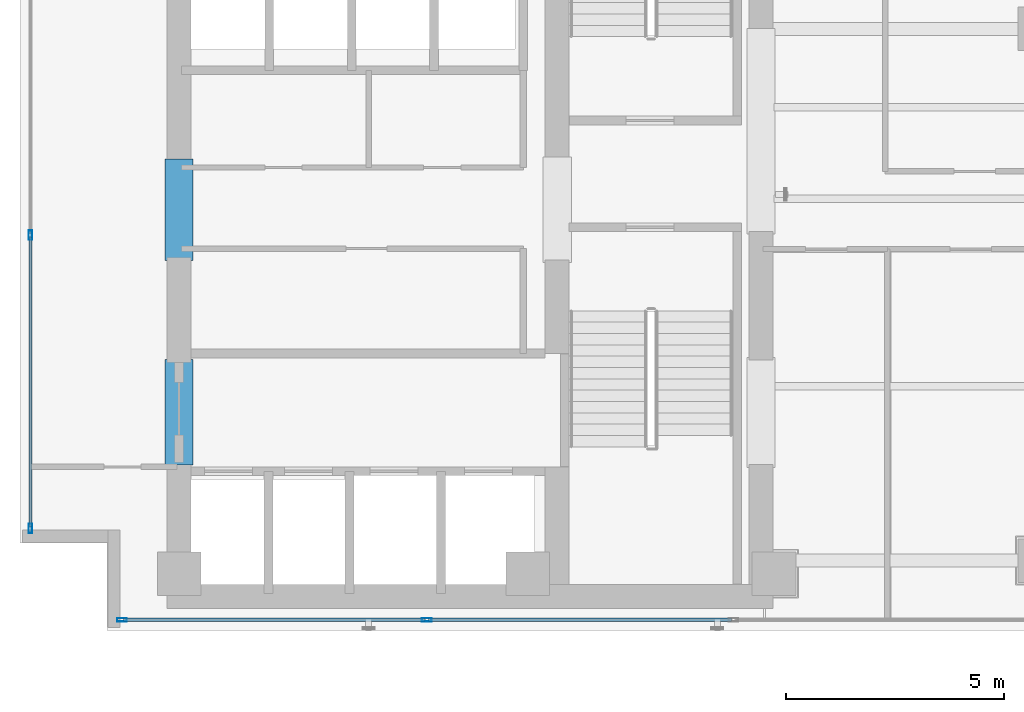
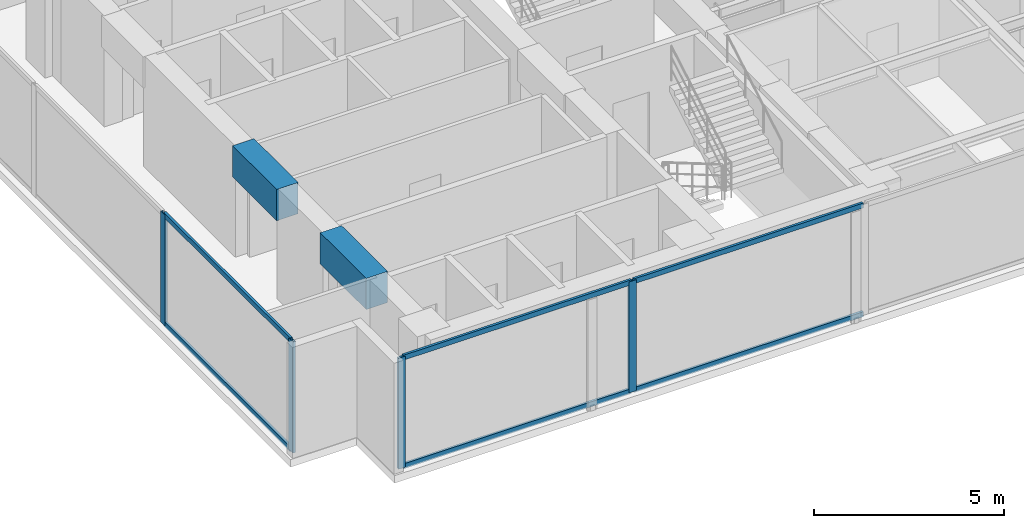
# One storey, part 2 of 23: 10 members, 2 beams, 2 elements without a shape of their own.
"""IFC4 building model written with IfcOpenShell, lengths in metres."""

from ifc_helpers import new_model, si_unit, direction, frame, origin, origin_with_axes, origin_2d, place, context, subcontext, project, spatial, rectangle, hollow_rectangle, extrude, source, transform, mapped, material, layer, layer_set, material_profile, profile_set, type_object, element, aggregate, save


model = new_model("IFC4")

# Units and contexts
model_context = context("Model", 3, precision=1e-05, world=origin(), true_north=direction((0.0, 1.0)))
body_context = subcontext(model_context, "Body", "Model", "MODEL_VIEW")
ifc_project = project(units=[si_unit("LENGTHUNIT", "METRE"), si_unit("AREAUNIT", "SQUARE_METRE"), si_unit("VOLUMEUNIT", "CUBIC_METRE"), si_unit("PLANEANGLEUNIT", "RADIAN"), si_unit("MASSUNIT", "GRAM", prefix="KILO")], contexts=[model_context])

# Site, building, storey
site_placement = place(None, origin())
site = spatial("IfcSite", under=ifc_project, at=site_placement, CompositionType="ELEMENT")
building_placement = place(site_placement, origin())
building = spatial("IfcBuilding", under=site, at=building_placement, Name="Kolvaren Waterfront Exchange", CompositionType="ELEMENT")
storey_placement = place(building_placement, frame((0.0, 0.0, 234.89990234375)))
storey = spatial("IfcBuildingStorey", under=building, at=storey_placement, Name="L60", CompositionType="ELEMENT", Elevation=234.89990234375)

# Beams
ifc_material_1 = material(Name="Concrete C60/75", Category="concrete")
ifc_material_profile_1 = material_profile(ifc_material_1, rectangle(XDim=0.64990234375, YDim=1.0, at=origin_2d()), Name="RC-CB-1000x650")
ifc_profile_set_1 = profile_set([ifc_material_profile_1], Name="Concrete C60/75")
beam_type = type_object("IfcBeamType", Name="STR-CB-1000", PredefinedType="SPANDREL", material=ifc_profile_set_1)
beam_1_placement = place(storey_placement, frame((7.449951171875, 7.389892578125, 3.06005859375), z_axis=(0.0, 1.0, 0.0), x_axis=(-1.0, 0.0, 0.0)))
element("IfcBeam", 1, at=beam_1_placement, inside=storey, type_object=beam_type, Name="L60 core coupling beam 3", PredefinedType="SPANDREL", context=body_context, shape_type="SweptSolid", body=[
    extrude(rectangle(XDim=0.64990234375, YDim=1.0, at=origin_2d()), origin(), (0.0, 0.0, 1.0), 2.420166015625),
])
beam_2_placement = place(storey_placement, frame((7.449951171875, 12.090087890625, 3.06005859375), z_axis=(0.0, 1.0, 0.0), x_axis=(-1.0, 0.0, 0.0)))
element("IfcBeam", 2, at=beam_2_placement, inside=storey, type_object=beam_type, Name="L60 core coupling beam 4", PredefinedType="SPANDREL", context=body_context, shape_type="SweptSolid", body=[
    extrude(rectangle(XDim=0.64990234375, YDim=1.0, at=origin_2d()), origin(), (0.0, 0.0, 1.0), 2.31982421875),
])

# Curtain wall, members
ifc_material_2 = material(Name="Anodised bronze aluminium 6063-T6", Category="aluminium")
ifc_layer_1 = layer(ifc_material_2, 0.219970703125, Name="Anodised bronze aluminium 6063-T6")
ifc_layer_set_1 = layer_set([ifc_layer_1], Name="Anodised bronze aluminium 6063-T6")
curtain_wall_type_1 = type_object("IfcCurtainWallType", Name="ARC-CW-SYS1", PredefinedType="USERDEFINED", material=ifc_layer_set_1)
curtain_wall_1_placement = place(storey_placement, origin())
curtain_wall_1 = element("IfcCurtainWall", 3, at=curtain_wall_1_placement, inside=storey, type_object=curtain_wall_type_1, Name="L60 stick curtain wall CW1 (CW-L60-S)", ObjectType="STICK CURTAIN WALL", PredefinedType="USERDEFINED")
ifc_material_3 = material(Name="Anodised aluminium 6063-T6", Category="aluminium")
ifc_material_profile_2 = material_profile(ifc_material_3, hollow_rectangle(XDim=0.080078125, YDim=0.219970703125, WallThickness=0.0048828125, at=origin_2d()), Name="ALU-MUL-220x80x5")
ifc_profile_set_2 = profile_set([ifc_material_profile_2], Name="Anodised aluminium 6063-T6")
member_type_1 = type_object("IfcMemberType", Name="ARC-CWM-220", PredefinedType="MULLION", material=ifc_profile_set_2)
shared_shape_1 = source(origin_with_axes(), body_context, "Body", "SweptSolid", [
    extrude(hollow_rectangle(XDim=0.080078125, YDim=0.219970703125, WallThickness=0.0048828125, at=origin_2d()), origin(), (0.0, 0.0, 1.0), 3.56005859375),
])
member_1_placement = place(storey_placement, frame((6.139892578125, 3.840087890625, 0.0), z_axis=(0.0, 0.0, 1.0), x_axis=(0.0, 1.0, 0.0)))
member_1 = element("IfcMember", 4, at=member_1_placement, type_object=member_type_1, Name="CW1 mullion 1", PredefinedType="MULLION", context=body_context, shape_type="MappedRepresentation", body=[
    mapped(shared_shape_1, transform((0.0, 0.0, 0.0), x_axis=(1.0, 0.0, 0.0), y_axis=(0.0, 1.0, 0.0), z_axis=(0.0, 0.0, 1.0), scale=1.0)),
])
member_2_placement = place(storey_placement, frame((13.13330078125, 3.840087890625, 0.0), z_axis=(0.0, 0.0, 1.0), x_axis=(0.0, 1.0, 0.0)))
member_2 = element("IfcMember", 5, at=member_2_placement, type_object=member_type_1, Name="CW1 mullion 2", PredefinedType="MULLION", context=body_context, shape_type="MappedRepresentation", body=[
    mapped(shared_shape_1, transform((0.0, 0.0, 0.0), x_axis=(1.0, 0.0, 0.0), y_axis=(0.0, 1.0, 0.0), z_axis=(0.0, 0.0, 1.0), scale=1.0)),
])

ifc_layer_2 = layer(ifc_material_3, 0.219970703125, Name="Anodised aluminium 6063-T6")
ifc_layer_set_2 = layer_set([ifc_layer_2], Name="Anodised aluminium 6063-T6")
curtain_wall_type_2 = type_object("IfcCurtainWallType", Name="ARC-CW-SYS2", PredefinedType="USERDEFINED", material=ifc_layer_set_2)
curtain_wall_2_placement = place(storey_placement, origin())
curtain_wall_2 = element("IfcCurtainWall", 6, at=curtain_wall_2_placement, inside=storey, type_object=curtain_wall_type_2, Name="L60 stick curtain wall CW2 (CW-L60-W)", ObjectType="STICK CURTAIN WALL", PredefinedType="USERDEFINED")
member_3_placement = place(storey_placement, frame((4.0400390625, 5.93994140625, 0.0), z_axis=(0.0, 0.0, 1.0), x_axis=(-1.0, 0.0, 0.0)))
member_3 = element("IfcMember", 7, at=member_3_placement, type_object=member_type_1, Name="CW2 mullion 1", PredefinedType="MULLION", context=body_context, shape_type="MappedRepresentation", body=[
    mapped(shared_shape_1, transform((0.0, 0.0, 0.0), x_axis=(1.0, 0.0, 0.0), y_axis=(0.0, 1.0, 0.0), z_axis=(0.0, 0.0, 1.0), scale=1.0)),
])
member_4_placement = place(storey_placement, frame((4.0400390625, 12.666748046875, 0.0), z_axis=(0.0, 0.0, 1.0), x_axis=(-1.0, 0.0, 0.0)))
member_4 = element("IfcMember", 8, at=member_4_placement, type_object=member_type_1, Name="CW2 mullion 2", PredefinedType="MULLION", context=body_context, shape_type="MappedRepresentation", body=[
    mapped(shared_shape_1, transform((0.0, 0.0, 0.0), x_axis=(1.0, 0.0, 0.0), y_axis=(0.0, 1.0, 0.0), z_axis=(0.0, 0.0, 1.0), scale=1.0)),
])
ifc_material_profile_3 = material_profile(ifc_material_3, hollow_rectangle(XDim=0.074951171875, YDim=0.159912109375, WallThickness=0.00439453125, at=origin_2d()), Name="ALU-TRN-160x75x4.5")
ifc_profile_set_3 = profile_set([ifc_material_profile_3], Name="Anodised aluminium 6063-T6")
member_type_2 = type_object("IfcMemberType", Name="ARC-CWT-160", PredefinedType="USERDEFINED", material=ifc_profile_set_3)
shared_shape_2 = source(origin_with_axes(), body_context, "Body", "SweptSolid", [
    extrude(hollow_rectangle(XDim=0.074951171875, YDim=0.159912109375, WallThickness=0.00439453125, at=origin_2d()), origin(), (0.0, 0.0, 1.0), 6.646728515625),
])
member_5_placement = place(storey_placement, frame((4.0400390625, 5.97998046875, 0.03759765625), z_axis=(0.0, 1.0, 0.0), x_axis=(-1.0, 0.0, 0.0)))
member_5 = element("IfcMember", 9, at=member_5_placement, type_object=member_type_2, Name="CW2 transom 1.1", ObjectType="TRANSOM", PredefinedType="USERDEFINED", context=body_context, shape_type="MappedRepresentation", body=[
    mapped(shared_shape_2, transform((0.0, 0.0, 0.0), x_axis=(1.0, 0.0, 0.0), y_axis=(0.0, 1.0, 0.0), z_axis=(0.0, 0.0, 1.0), scale=1.0)),
])
member_6_placement = place(storey_placement, frame((4.0400390625, 5.97998046875, 3.522705078125), z_axis=(0.0, 1.0, 0.0), x_axis=(-1.0, 0.0, 0.0)))
member_6 = element("IfcMember", 10, at=member_6_placement, type_object=member_type_2, Name="CW2 transom 1.2", ObjectType="TRANSOM", PredefinedType="USERDEFINED", context=body_context, shape_type="MappedRepresentation", body=[
    mapped(shared_shape_2, transform((0.0, 0.0, 0.0), x_axis=(1.0, 0.0, 0.0), y_axis=(0.0, 1.0, 0.0), z_axis=(0.0, 0.0, 1.0), scale=1.0)),
])
aggregate(curtain_wall_2, [member_3, member_4, member_5, member_6])

# Member
shared_shape_3 = source(origin_with_axes(), body_context, "Body", "SweptSolid", [
    extrude(hollow_rectangle(XDim=0.074951171875, YDim=0.159912109375, WallThickness=0.00439453125, at=origin_2d()), origin(), (0.0, 0.0, 1.0), 6.913330078125),
])
member_7_placement = place(storey_placement, frame((6.179931640625, 3.840087890625, 0.03759765625), z_axis=(1.0, 0.0, 0.0), x_axis=(0.0, 1.0, 0.0)))
member_7 = element("IfcMember", 11, at=member_7_placement, type_object=member_type_2, Name="CW1 transom 1.1", ObjectType="TRANSOM", PredefinedType="USERDEFINED", context=body_context, shape_type="MappedRepresentation", body=[
    mapped(shared_shape_3, transform((0.0, 0.0, 0.0), x_axis=(1.0, 0.0, 0.0), y_axis=(0.0, 1.0, 0.0), z_axis=(0.0, 0.0, 1.0), scale=1.0)),
])

member_8_placement = place(storey_placement, frame((6.179931640625, 3.840087890625, 3.522705078125), z_axis=(1.0, 0.0, 0.0), x_axis=(0.0, 1.0, 0.0)))
member_8 = element("IfcMember", 12, at=member_8_placement, type_object=member_type_2, Name="CW1 transom 1.2", ObjectType="TRANSOM", PredefinedType="USERDEFINED", context=body_context, shape_type="MappedRepresentation", body=[
    mapped(shared_shape_3, transform((0.0, 0.0, 0.0), x_axis=(1.0, 0.0, 0.0), y_axis=(0.0, 1.0, 0.0), z_axis=(0.0, 0.0, 1.0), scale=1.0)),
])

shared_shape_4 = source(origin_with_axes(), body_context, "Body", "SweptSolid", [
    extrude(hollow_rectangle(XDim=0.074951171875, YDim=0.159912109375, WallThickness=0.00439453125, at=origin_2d()), origin(), (0.0, 0.0, 1.0), 6.953369140625),
])
member_9_placement = place(storey_placement, frame((13.17333984375, 3.840087890625, 0.03759765625), z_axis=(1.0, 0.0, 0.0), x_axis=(0.0, 1.0, 0.0)))
member_9 = element("IfcMember", 13, at=member_9_placement, type_object=member_type_2, Name="CW1 transom 2.1", ObjectType="TRANSOM", PredefinedType="USERDEFINED", context=body_context, shape_type="MappedRepresentation", body=[
    mapped(shared_shape_4, transform((0.0, 0.0, 0.0), x_axis=(1.0, 0.0, 0.0), y_axis=(0.0, 1.0, 0.0), z_axis=(0.0, 0.0, 1.0), scale=1.0)),
])

member_10_placement = place(storey_placement, frame((13.17333984375, 3.840087890625, 3.522705078125), z_axis=(1.0, 0.0, 0.0), x_axis=(0.0, 1.0, 0.0)))
member_10 = element("IfcMember", 14, at=member_10_placement, type_object=member_type_2, Name="CW1 transom 2.2", ObjectType="TRANSOM", PredefinedType="USERDEFINED", context=body_context, shape_type="MappedRepresentation", body=[
    mapped(shared_shape_4, transform((0.0, 0.0, 0.0), x_axis=(1.0, 0.0, 0.0), y_axis=(0.0, 1.0, 0.0), z_axis=(0.0, 0.0, 1.0), scale=1.0)),
])

aggregate(curtain_wall_1, [member_1, member_2, member_7, member_8, member_9, member_10])

save(model, "model.ifc")
